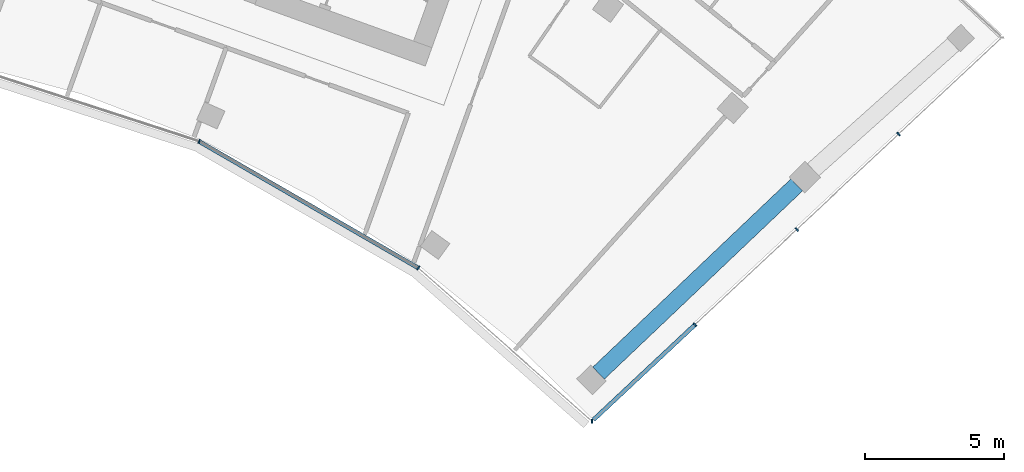
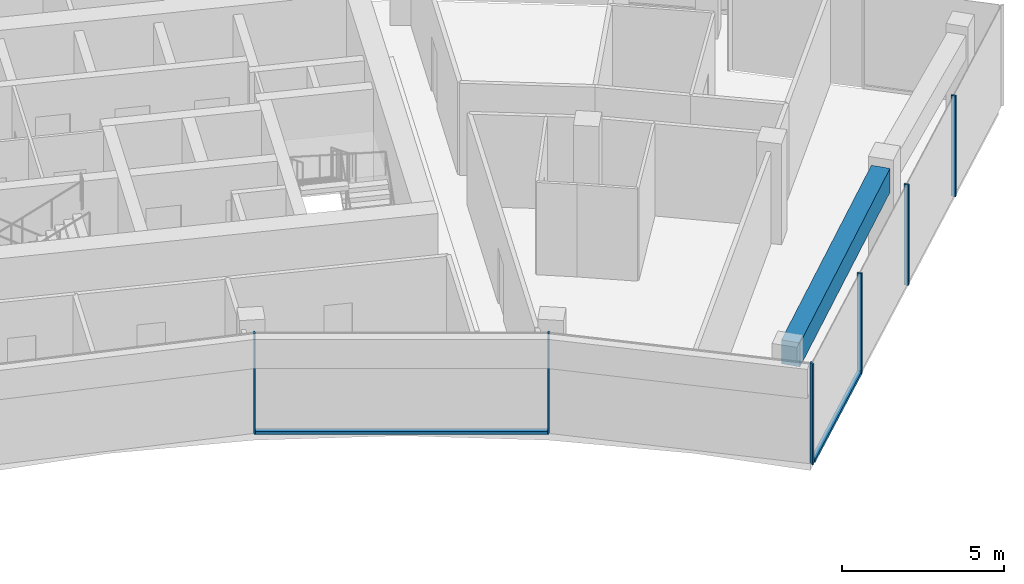
# One storey, part 8 of 18: 8 members, 1 beam, 2 elements without a shape of their own.
"""IFC4 building model written with IfcOpenShell, lengths in metres."""

import ifcopenshell
import ifcopenshell.guid

model = None  # the IFC model being written
_history = None  # IfcOwnerHistory: only IFC2X3 demands one
_inside = {}  # id of a spatial element -> (the spatial element, [elements in it])
_under = {}  # id of a project, library or spatial element -> (it, [spatial elements below it])
_declared = {}  # id of a project -> (the project, [libraries it declares])
_typed = {}  # id of a type object -> (the type object, [elements of that type])
_made_of = {}  # id of a material, layer set ... -> (it, [elements and type objects made of it])


def new_model(schema):
    """Start an empty IFC model of exactly this schema.

    Asked for "IFC4X3", IfcOpenShell would pick the latest addendum, in which some entities
    have other attributes; the version numbers below select the first issue.
    IFC2X3 requires an IfcOwnerHistory on every rooted entity: one is made here for all.
    """
    global model, _history
    if schema == "IFC4X3":
        model = ifcopenshell.file(schema_version=(4, 3, 0, 0))
    else:
        model = ifcopenshell.file(schema=schema)
    _inside.clear()
    _under.clear()
    _declared.clear()
    _typed.clear()
    _made_of.clear()
    _history = None
    if model.schema == "IFC2X3":
        org = make("IfcOrganization", Name="unknown")
        user = make(
            "IfcPersonAndOrganization",
            ThePerson=make("IfcPerson", FamilyName="unknown"),
            TheOrganization=org,
        )
        app = make(
            "IfcApplication",
            ApplicationDeveloper=org,
            Version="unknown",
            ApplicationFullName="unknown",
            ApplicationIdentifier="unknown",
        )
        _history = make(
            "IfcOwnerHistory",
            OwningUser=user,
            OwningApplication=app,
            ChangeAction="ADDED",
            CreationDate=0,
        )
    return model


def make(cls, **values):
    """One entity of the class cls with the attributes given. An attribute that is None is left unset."""
    return model.create_entity(
        cls, **{name: value for name, value in values.items() if value is not None}
    )


def rooted(cls, **values):
    """An entity with a GlobalId (a new one), such as an element, a storey or a relation."""
    return make(cls, GlobalId=ifcopenshell.guid.new(), OwnerHistory=_history, **values)


def si_unit(unit_type, name, prefix=None):
    """IfcSIUnit, for example si_unit("LENGTHUNIT", "METRE", prefix="MILLI")."""
    return make("IfcSIUnit", UnitType=unit_type, Prefix=prefix, Name=name)


def assignment(units):
    """IfcUnitAssignment: the units of a project."""
    return None if units is None else make("IfcUnitAssignment", Units=units)


def point(xyz):
    """IfcCartesianPoint."""
    return None if xyz is None else make("IfcCartesianPoint", Coordinates=xyz)


def direction(xyz):
    """IfcDirection."""
    return None if xyz is None else make("IfcDirection", DirectionRatios=xyz)


def frame(location, z_axis=None, x_axis=None):
    """IfcAxis2Placement3D, a coordinate frame: its origin and axes. An axis left out is left unset."""
    return make(
        "IfcAxis2Placement3D",
        Location=point(location),
        Axis=direction(z_axis),
        RefDirection=direction(x_axis),
    )


def frame_2d(location, x_axis=None):
    """IfcAxis2Placement2D, a coordinate frame in the plane: its origin and x axis."""
    return make(
        "IfcAxis2Placement2D", Location=point(location), RefDirection=direction(x_axis)
    )


def origin():
    """The frame at (0, 0, 0) with its axes left unset."""
    return frame((0.0, 0.0, 0.0))


def origin_2d():
    """The frame at (0, 0) in the plane with its x axis left unset."""
    return frame_2d((0.0, 0.0))


def place(relative_to, where):
    """IfcLocalPlacement: puts the frame where relative to a parent placement (None: the world)."""
    return make(
        "IfcLocalPlacement", PlacementRelTo=relative_to, RelativePlacement=where
    )


def context(
    kind, dimensions, precision=None, world=None, true_north=None, identifier=None
):
    """IfcGeometricRepresentationContext, for example the 3D "Model" context."""
    return make(
        "IfcGeometricRepresentationContext",
        ContextIdentifier=identifier,
        ContextType=kind,
        CoordinateSpaceDimension=dimensions,
        Precision=precision,
        WorldCoordinateSystem=world,
        TrueNorth=true_north,
    )


def subcontext(parent, identifier, kind, view, scale=None):
    """IfcGeometricRepresentationSubContext, for example "Body" below "Model"."""
    return make(
        "IfcGeometricRepresentationSubContext",
        ContextIdentifier=identifier,
        ContextType=kind,
        ParentContext=parent,
        TargetScale=scale,
        TargetView=view,
    )


def project(units=None, contexts=None):
    """IfcProject with its units and contexts."""
    return rooted(
        "IfcProject",
        Name="project",
        RepresentationContexts=contexts,
        UnitsInContext=assignment(units),
    )


def spatial(cls, under=None, at=None, **own):
    """A site, building, storey or space (cls), placed at a placement, below another one or the project."""
    s = rooted(cls, ObjectPlacement=at, **own)
    if under is not None:
        _under.setdefault(under.id(), (under, []))[1].append(s)
    return s


def profile(cls, at=None, kind="AREA", **sizes):
    """A parametric profile (cls). Its sizes go by their IFC names, for example OverallWidth=200.0."""
    return make(cls, ProfileType=kind, Position=at, **sizes)


def rectangle(**sizes):
    """IfcRectangleProfileDef."""
    return profile("IfcRectangleProfileDef", **sizes)


def extrude(swept, where, along, depth):
    """IfcExtrudedAreaSolid: the profile swept, set in the frame where, extruded along a direction by depth."""
    return make(
        "IfcExtrudedAreaSolid",
        SweptArea=swept,
        Position=where,
        ExtrudedDirection=direction(along),
        Depth=depth,
    )


def shape(context_of_items, identifier, shape_type, items):
    """IfcShapeRepresentation: the items that make up one representation, for example the "Body"."""
    return make(
        "IfcShapeRepresentation",
        ContextOfItems=context_of_items,
        RepresentationIdentifier=identifier,
        RepresentationType=shape_type,
        Items=items,
    )


def material(Name=None, Category=None):
    """IfcMaterial."""
    return make("IfcMaterial", Name=Name, Category=Category)


def layer(
    of_material, thickness, ventilated=None, Name=None, Category=None, Priority=None
):
    """IfcMaterialLayer: one layer of a wall or slab, of a material (None: an air gap)."""
    return make(
        "IfcMaterialLayer",
        Material=of_material,
        LayerThickness=thickness,
        IsVentilated=ventilated,
        Name=Name,
        Category=Category,
        Priority=Priority,
    )


def layer_set(layers, Name=None):
    """IfcMaterialLayerSet."""
    return make("IfcMaterialLayerSet", MaterialLayers=layers, LayerSetName=Name)


def material_profile(
    of_material, cross_section, Name=None, Category=None, Priority=None
):
    """IfcMaterialProfile: a cross section and its material."""
    return make(
        "IfcMaterialProfile",
        Name=Name,
        Material=of_material,
        Profile=cross_section,
        Priority=Priority,
        Category=Category,
    )


def profile_set(profiles, Name=None, composite=None):
    """IfcMaterialProfileSet."""
    return make(
        "IfcMaterialProfileSet",
        Name=Name,
        MaterialProfiles=profiles,
        CompositeProfile=composite,
    )


def made_of(thing, what):
    """Note that an element or type object is made of a material, layer set ...; save() writes the relation."""
    if what is not None:
        _made_of.setdefault(what.id(), (what, []))[1].append(thing)
    return thing


def type_object(cls, material=None, **own):
    """A type object (cls), such as IfcWallType, which elements share."""
    return made_of(rooted(cls, **own), material)


def element(
    cls,
    number,
    at=None,
    inside=None,
    cuts=None,
    type_object=None,
    material=None,
    context=None,
    identifier="Body",
    shape_type=None,
    held_by="IfcProductDefinitionShape",
    body=None,
    shapes=None,
    **own,
):
    """One element of the class cls, such as IfcWall. Its Tag is "e" and its number.

    at: its placement. inside: the storey or other place that contains it. cuts: it is an
    opening in that element (IfcRelVoidsElement). A single representation is given by context,
    identifier, shape_type and body (its items); several are given by shapes. held_by: the class
    of the entity that holds the representations. save() writes the other relations.
    """
    e = rooted(cls, Tag="e%d" % number, ObjectPlacement=at, **own)
    if body is not None:
        shapes = [shape(context, identifier, shape_type, body)]
    if shapes is not None:
        e.Representation = make(held_by, Representations=shapes)
    if inside is not None:
        _inside.setdefault(inside.id(), (inside, []))[1].append(e)
    if cuts is not None:
        rooted(
            "IfcRelVoidsElement", RelatingBuildingElement=cuts, RelatedOpeningElement=e
        )
    if type_object is not None:
        _typed.setdefault(type_object.id(), (type_object, []))[1].append(e)
    return made_of(e, material)


def aggregate(whole, parts):
    """IfcRelAggregates: a whole, such as a stair, and the parts it consists of."""
    return rooted("IfcRelAggregates", RelatingObject=whole, RelatedObjects=parts)


def save(model, path):
    """Write the relations noted so far, then the file.

    IfcRelAggregates (storeys below a building ...), IfcRelContainedInSpatialStructure (elements
    in a storey), IfcRelDefinesByType, IfcRelAssociatesMaterial and IfcRelDeclares: one each for
    every whole, place, type object, material and project.
    """
    for whole, parts in _under.values():
        aggregate(whole, parts)
    for where, things in _inside.values():
        rooted(
            "IfcRelContainedInSpatialStructure",
            RelatedElements=things,
            RelatingStructure=where,
        )
    for kind, things in _typed.values():
        rooted("IfcRelDefinesByType", RelatedObjects=things, RelatingType=kind)
    for what, things in _made_of.values():
        rooted("IfcRelAssociatesMaterial", RelatedObjects=things, RelatingMaterial=what)
    for by, libraries in _declared.values():
        rooted("IfcRelDeclares", RelatingContext=by, RelatedDefinitions=libraries)
    model.write(path)


model = new_model("IFC4")

# Units and contexts
model_context = context("Model", 3, precision=1e-05, world=origin(), true_north=direction((0.0, 1.0)))
body_context = subcontext(model_context, "Body", "Model", "MODEL_VIEW")
ifc_project = project(units=[si_unit("LENGTHUNIT", "METRE"), si_unit("AREAUNIT", "SQUARE_METRE"), si_unit("VOLUMEUNIT", "CUBIC_METRE"), si_unit("PLANEANGLEUNIT", "RADIAN"), si_unit("MASSUNIT", "GRAM", prefix="KILO")], contexts=[model_context])

# Site, building, storey
site_placement = place(None, origin())
site = spatial("IfcSite", under=ifc_project, at=site_placement, CompositionType="ELEMENT")
building_placement = place(site_placement, origin())
building = spatial("IfcBuilding", under=site, at=building_placement, Name="Stone Belt Terrace Tower", CompositionType="ELEMENT")
storey_placement = place(building_placement, frame((0.0, 0.0, 296.0)))
storey = spatial("IfcBuildingStorey", under=building, at=storey_placement, Name="L72", CompositionType="ELEMENT", Elevation=296.0)

# Curtain wall, members
ifc_material_1 = material(Name="Aluminium 6063-T6 anodised frame", Category="aluminium")
ifc_layer_1 = layer(ifc_material_1, 0.14990234375)
ifc_layer_set_1 = layer_set([ifc_layer_1], Name="CW-B unitised concave-face curtain wall")
curtain_wall_type_1 = type_object("IfcCurtainWallType", Name="CW-B unitised concave-face curtain wall", PredefinedType="NOTDEFINED", material=ifc_layer_set_1)
curtain_wall_1_placement = place(storey_placement, origin())
curtain_wall_1 = element("IfcCurtainWall", 1, at=curtain_wall_1_placement, inside=storey, type_object=curtain_wall_type_1, Name="CW-B concave face L72", PredefinedType="NOTDEFINED")
ifc_material_profile_1 = material_profile(ifc_material_1, rectangle(XDim=0.14990234375, YDim=0.050048828125, at=origin_2d()), Name="Aluminium 6063-T6 50x150")
ifc_profile_set_1 = profile_set([ifc_material_profile_1], Name="Aluminium 6063-T6 anodised frame")
member_type_1 = type_object("IfcMemberType", Name="CW-B mullion 50 x 150", PredefinedType="MULLION", material=ifc_profile_set_1)
member_1_placement = place(storey_placement, frame((17.662353515625, 39.67041015625, 0.0), z_axis=(0.0, 0.0, 1.0), x_axis=(0.406736643076, 0.913545457643, 0.0)))
member_1 = element("IfcMember", 2, at=member_1_placement, type_object=member_type_1, Name="CW-B mullion 7", PredefinedType="MULLION", context=body_context, shape_type="SweptSolid", body=[
    extrude(rectangle(XDim=0.14990234375, YDim=0.050048828125, at=origin_2d()), origin(), (0.0, 0.0, 1.0), 3.800048828125),
])
member_2_placement = place(storey_placement, frame((25.524658203125, 35.131103515625, 0.0), z_axis=(0.0, 0.0, 1.0), x_axis=(0.583818854632, 0.811883947973, 0.0)))
member_2 = element("IfcMember", 3, at=member_2_placement, type_object=member_type_1, Name="CW-B mullion 8", PredefinedType="MULLION", context=body_context, shape_type="SweptSolid", body=[
    extrude(rectangle(XDim=0.14990234375, YDim=0.050048828125, at=origin_2d()), origin(), (0.0, 0.0, 1.0), 3.800048828125),
])
ifc_material_profile_2 = material_profile(ifc_material_1, rectangle(XDim=0.14990234375, YDim=0.1201171875, at=origin_2d()), Name="Aluminium 6063-T6 150x120")
ifc_profile_set_2 = profile_set([ifc_material_profile_2], Name="Aluminium 6063-T6 anodised frame")
member_type_2 = type_object("IfcMemberType", Name="CW-B transom 120 x 150", PredefinedType="USERDEFINED", material=ifc_profile_set_2)
member_3_placement = place(storey_placement, frame((17.690673828125, 39.654052734375, 0.06005859375), z_axis=(0.866020948727, -0.500007716307, 0.0), x_axis=(0.500007716307, 0.866020948727, 0.0)))
member_3 = element("IfcMember", 4, at=member_3_placement, type_object=member_type_2, Name="CW-B transom 7.1", ObjectType="TRANSOM", PredefinedType="USERDEFINED", context=body_context, shape_type="SweptSolid", body=[
    extrude(rectangle(XDim=0.14990234375, YDim=0.1201171875, at=origin_2d()), origin(), (0.0, 0.0, 1.0), 9.013427734375),
])
aggregate(curtain_wall_1, [member_1, member_2, member_3])

ifc_layer_2 = layer(ifc_material_1, 0.14990234375)
ifc_layer_set_2 = layer_set([ifc_layer_2], Name="CW-C stick curtain wall, horn ends and notches")
curtain_wall_type_2 = type_object("IfcCurtainWallType", Name="CW-C stick curtain wall, horn ends and notches", PredefinedType="NOTDEFINED", material=ifc_layer_set_2)
curtain_wall_2_placement = place(storey_placement, origin())
curtain_wall_2 = element("IfcCurtainWall", 5, at=curtain_wall_2_placement, inside=storey, type_object=curtain_wall_type_2, Name="CW-C end face L72", PredefinedType="NOTDEFINED")
ifc_material_profile_3 = material_profile(ifc_material_1, rectangle(XDim=0.14990234375, YDim=0.06005859375, at=origin_2d()), Name="Aluminium 6063-T6 60x150")
ifc_profile_set_3 = profile_set([ifc_material_profile_3], Name="Aluminium 6063-T6 anodised frame")
member_type_3 = type_object("IfcMemberType", Name="CW-C mullion 60 x 150", PredefinedType="MULLION", material=ifc_profile_set_3)
member_4_placement = place(storey_placement, frame((31.75244140625, 29.633056640625, 0.0), z_axis=(0.0, 0.0, 1.0), x_axis=(-0.014681639593, 0.999892218921, 0.0)))
member_4 = element("IfcMember", 6, at=member_4_placement, type_object=member_type_3, Name="CW-C mullion 1", PredefinedType="MULLION", context=body_context, shape_type="SweptSolid", body=[
    extrude(rectangle(XDim=0.14990234375, YDim=0.06005859375, at=origin_2d()), origin(), (0.0, 0.0, 1.0), 3.800048828125),
])
member_5_placement = place(storey_placement, frame((35.45166015625, 33.097412109375, 0.0), z_axis=(0.0, 0.0, 1.0), x_axis=(-0.683549434973, 0.729904219708, 0.0)))
member_5 = element("IfcMember", 7, at=member_5_placement, type_object=member_type_3, Name="CW-C mullion 2", PredefinedType="MULLION", context=body_context, shape_type="SweptSolid", body=[
    extrude(rectangle(XDim=0.14990234375, YDim=0.06005859375, at=origin_2d()), origin(), (0.0, 0.0, 1.0), 3.800048828125),
])
member_6_placement = place(storey_placement, frame((39.10107421875, 36.51513671875, 0.0), z_axis=(0.0, 0.0, 1.0), x_axis=(-0.683549434973, 0.729904219708, 0.0)))
member_6 = element("IfcMember", 8, at=member_6_placement, type_object=member_type_3, Name="CW-C mullion 3", PredefinedType="MULLION", context=body_context, shape_type="SweptSolid", body=[
    extrude(rectangle(XDim=0.14990234375, YDim=0.06005859375, at=origin_2d()), origin(), (0.0, 0.0, 1.0), 3.800048828125),
])
member_7_placement = place(storey_placement, frame((42.750732421875, 39.932861328125, 0.0), z_axis=(0.0, 0.0, 1.0), x_axis=(-0.683549434973, 0.729904219708, 0.0)))
member_7 = element("IfcMember", 9, at=member_7_placement, type_object=member_type_3, Name="CW-C mullion 4", PredefinedType="MULLION", context=body_context, shape_type="SweptSolid", body=[
    extrude(rectangle(XDim=0.14990234375, YDim=0.06005859375, at=origin_2d()), origin(), (0.0, 0.0, 1.0), 3.800048828125),
])
ifc_material_profile_4 = material_profile(ifc_material_1, rectangle(XDim=0.14990234375, YDim=0.1201171875, at=origin_2d()), Name="Aluminium 6063-T6 150x120")
ifc_profile_set_4 = profile_set([ifc_material_profile_4], Name="Aluminium 6063-T6 anodised frame")
member_type_4 = type_object("IfcMemberType", Name="CW-C transom 120 x 150", PredefinedType="USERDEFINED", material=ifc_profile_set_4)
member_8_placement = place(storey_placement, frame((31.805419921875, 29.6826171875, 0.06005859375), z_axis=(0.72988516347, 0.683569782938, 0.0), x_axis=(-0.683569782938, 0.72988516347, 0.0)))
member_8 = element("IfcMember", 10, at=member_8_placement, type_object=member_type_4, Name="CW-C transom 1.1", ObjectType="TRANSOM", PredefinedType="USERDEFINED", context=body_context, shape_type="SweptSolid", body=[
    extrude(rectangle(XDim=0.14990234375, YDim=0.1201171875, at=origin_2d()), origin(), (0.0, 0.0, 1.0), 4.965576171875),
])
aggregate(curtain_wall_2, [member_4, member_5, member_6, member_7, member_8])

# Beam
ifc_material_2 = material(Name="Concrete B60", Category="concrete")
ifc_material_profile_5 = material_profile(ifc_material_2, rectangle(XDim=0.60009765625, YDim=0.89990234375, at=origin_2d()), Name="RC 600x900")
ifc_profile_set_5 = profile_set([ifc_material_profile_5], Name="Concrete B60")
beam_type = type_object("IfcBeamType", Name="Edge beam RC 600x900 B60", PredefinedType="SPANDREL", material=ifc_profile_set_5)
beam_placement = place(storey_placement, frame((31.98876953125, 31.35791015625, 3.030029296875), z_axis=(0.72502367576, 0.688723942946, 0.0), x_axis=(-0.688723942946, 0.72502367576, 0.0)))
element("IfcBeam", 11, at=beam_placement, inside=storey, type_object=beam_type, Name="Edge beam L72 B P to Q", PredefinedType="SPANDREL", context=body_context, shape_type="SweptSolid", body=[
    extrude(rectangle(XDim=0.60009765625, YDim=0.89990234375, at=origin_2d()), origin(), (0.0, 0.0, 1.0), 9.80615234375),
])

save(model, "model.ifc")
